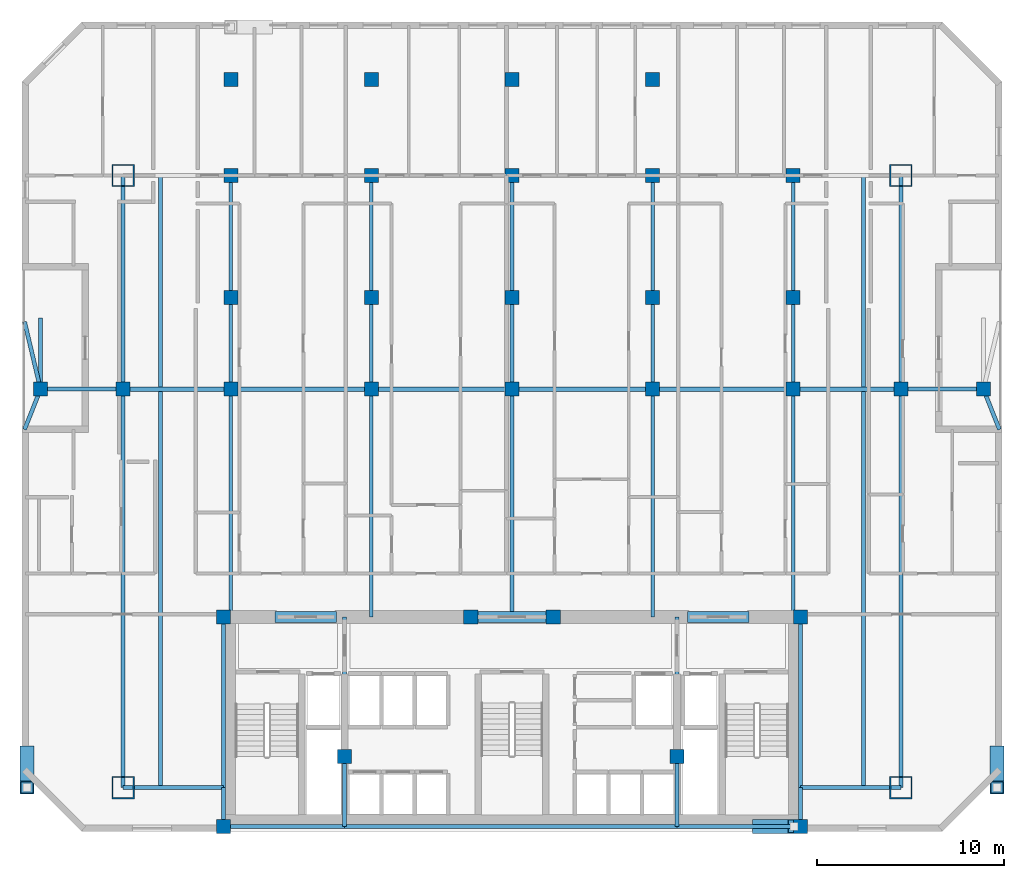
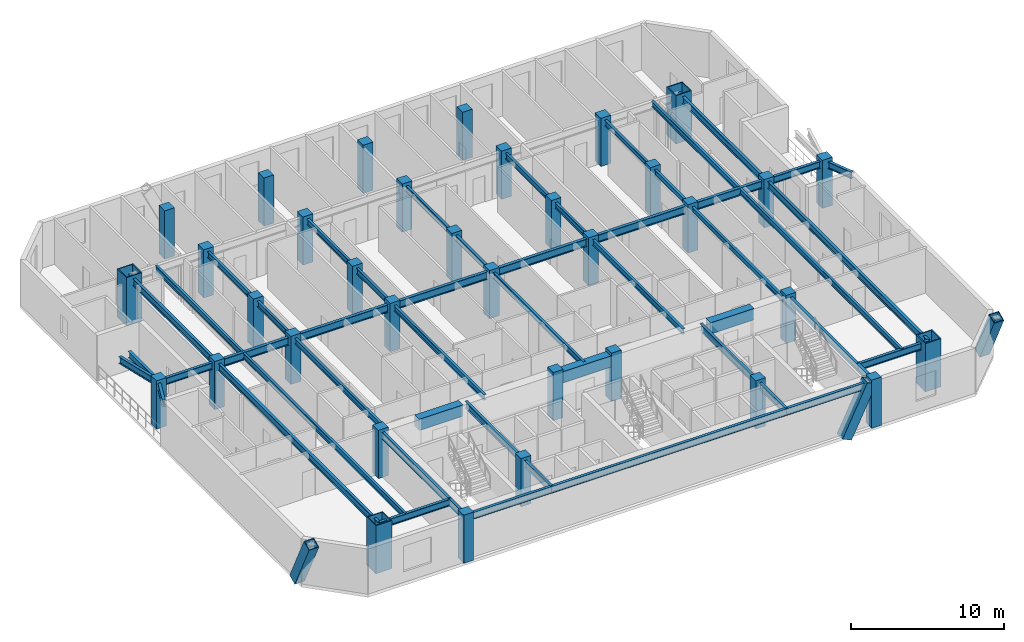
# One storey, part 1 of 11: 46 beams, 35 columns, 3 members.
"""IFC4 building model written with IfcOpenShell, lengths in metres."""

from ifc_helpers import new_model, si_unit, direction, frame, origin, origin_2d, place, context, subcontext, project, spatial, rectangle, hollow_rectangle, i_section, extrude, material, material_profile, profile_set, type_object, element, save


model = new_model("IFC4")

# Units and contexts
model_context = context("Model", 3, precision=1e-05, world=origin(), true_north=direction((0.0, 1.0)))
body_context = subcontext(model_context, "Body", "Model", "MODEL_VIEW")
ifc_project = project(units=[si_unit("LENGTHUNIT", "METRE"), si_unit("AREAUNIT", "SQUARE_METRE"), si_unit("VOLUMEUNIT", "CUBIC_METRE"), si_unit("PLANEANGLEUNIT", "RADIAN"), si_unit("MASSUNIT", "GRAM", prefix="KILO")], contexts=[model_context])

# Site, building, storey
site_placement = place(None, origin())
site = spatial("IfcSite", under=ifc_project, at=site_placement, CompositionType="ELEMENT")
building_placement = place(site_placement, origin())
building = spatial("IfcBuilding", under=site, at=building_placement, Name="Ventersveld Concourse Tower", CompositionType="ELEMENT")
storey_placement = place(building_placement, frame((0.0, 0.0, 119.550048828125)))
storey = spatial("IfcBuildingStorey", under=building, at=storey_placement, Name="L29", CompositionType="ELEMENT", Elevation=119.550048828125)

# Columns
ifc_material_1 = material(Name="Concrete C50/60", Category="concrete")
ifc_material_profile_1 = material_profile(ifc_material_1, rectangle(XDim=0.75, YDim=0.75, at=origin_2d()), Name="RC 750x750")
ifc_profile_set_1 = profile_set([ifc_material_profile_1], Name="Concrete C50/60")
column_type_1 = type_object("IfcColumnType", Name="COL-RC750", PredefinedType="COLUMN", material=ifc_profile_set_1)
for number, where, z_axis, x_axis, name in (
    (1, (13.35009765625, 0.280029296875, 0.0), (0.0, 0.0, 1.0), (1.0, 0.0, 0.0), "L29 Core Spine Column CC-SW"),
    (2, (44.14990234375, 0.280029296875, 0.0), (0.0, 0.0, 1.0), (1.0, 0.0, 0.0), "L29 Core Spine Column CC-SE"),
    (3, (13.35009765625, 11.449951171875, 0.0), (0.0, 0.0, 1.0), (1.0, 0.0, 0.0), "L29 Core Spine Column CC-NW"),
    (4, (44.14990234375, 11.449951171875, 0.0), (0.0, 0.0, 1.0), (1.0, 0.0, 0.0), "L29 Core Spine Column CC-NE"),
    (5, (19.820068359375, 4.0, 0.0), (0.0, 0.0, 1.0), (1.0, 0.0, 0.0), "L29 Core Spine Column CM-1"),
    (6, (37.550048828125, 4.0, 0.0), (0.0, 0.0, 1.0), (1.0, 0.0, 0.0), "L29 Core Spine Column CM-2"),
    (7, (26.550048828125, 11.449951171875, 0.0), (0.0, 0.0, 1.0), (1.0, 0.0, 0.0), "L29 Core Spine Column CM-3"),
    (8, (30.949951171875, 11.449951171875, 0.0), (0.0, 0.0, 1.0), (1.0, 0.0, 0.0), "L29 Core Spine Column CM-4"),
    (9, (3.60009765625, 23.60009765625, 0.0), (0.0, 0.0, 1.0), (1.0, 0.0, 0.0), "L29 Interior Gravity Column X=3.60 Y=23.60"),
    (10, (8.0, 23.60009765625, 0.0), (0.0, 0.0, 1.0), (1.0, 0.0, 0.0), "L29 Interior Gravity Column X=8.00 Y=23.60"),
    (11, (13.75, 23.60009765625, 0.0), (0.0, 0.0, 1.0), (1.0, 0.0, 0.0), "L29 Interior Gravity Column X=13.75 Y=23.60"),
    (12, (21.25, 23.60009765625, 0.0), (0.0, 0.0, 1.0), (1.0, 0.0, 0.0), "L29 Interior Gravity Column X=21.25 Y=23.60"),
    (13, (28.75, 23.60009765625, 0.0), (0.0, 0.0, 1.0), (1.0, 0.0, 0.0), "L29 Interior Gravity Column X=28.75 Y=23.60"),
    (14, (36.25, 23.60009765625, 0.0), (0.0, 0.0, 1.0), (1.0, 0.0, 0.0), "L29 Interior Gravity Column X=36.25 Y=23.60"),
    (15, (43.75, 23.60009765625, 0.0), (0.0, 0.0, 1.0), (1.0, 0.0, 0.0), "L29 Interior Gravity Column X=43.75 Y=23.60"),
    (16, (49.5, 23.60009765625, 0.0), (0.0, 0.0, 1.0), (1.0, 0.0, 0.0), "L29 Interior Gravity Column X=49.50 Y=23.60"),
    (17, (53.89990234375, 23.60009765625, 0.0), (0.0, 0.0, 1.0), (1.0, 0.0, 0.0), "L29 Interior Gravity Column X=53.90 Y=23.60"),
    (18, (13.75, 28.5, 0.0), (0.0, 0.0, 1.0), (1.0, 0.0, 0.0), "L29 Upper-North Gravity Column X=13.75 Y=28.50"),
    (19, (21.25, 28.5, 0.0), (0.0, 0.0, 1.0), (1.0, 0.0, 0.0), "L29 Upper-North Gravity Column X=21.25 Y=28.50"),
    (20, (28.75, 28.5, 0.0), (0.0, 0.0, 1.0), (1.0, 0.0, 0.0), "L29 Upper-North Gravity Column X=28.75 Y=28.50"),
    (21, (36.25, 28.5, 0.0), (0.0, 0.0, 1.0), (1.0, 0.0, 0.0), "L29 Upper-North Gravity Column X=36.25 Y=28.50"),
    (22, (43.75, 28.5, 0.0), (0.0, 0.0, 1.0), (1.0, 0.0, 0.0), "L29 Upper-North Gravity Column X=43.75 Y=28.50"),
    (23, (13.75, 40.1201171875, 0.0), (0.0, 0.0, 1.0), (1.0, 0.0, 0.0), "L29 North Brace Node Column X=13.75 Y=40.12"),
    (24, (21.25, 40.1201171875, 0.0), (0.0, 0.0, 1.0), (1.0, 0.0, 0.0), "L29 North Brace Node Column X=21.25 Y=40.12"),
    (25, (28.75, 40.1201171875, 0.0), (0.0, 0.0, 1.0), (1.0, 0.0, 0.0), "L29 North Brace Node Column X=28.75 Y=40.12"),
    (26, (36.25, 40.1201171875, 0.0), (0.0, 0.0, 1.0), (1.0, 0.0, 0.0), "L29 North Brace Node Column X=36.25 Y=40.12"),
    (27, (13.75, 35.0, 0.0), (0.0, 0.0, 1.0), (1.0, 0.0, 0.0), "L29 Mid-North Column X=13.75 Y=35.00"),
    (28, (21.25, 35.0, 0.0), (0.0, 0.0, 1.0), (1.0, 0.0, 0.0), "L29 Mid-North Column X=21.25 Y=35.00"),
    (29, (28.75, 35.0, 0.0), (0.0, 0.0, 1.0), (1.0, 0.0, 0.0), "L29 Mid-North Column X=28.75 Y=35.00"),
    (30, (36.25, 35.0, 0.0), (0.0, 0.0, 1.0), (1.0, 0.0, 0.0), "L29 Mid-North Column X=36.25 Y=35.00"),
    (31, (43.75, 35.0, 0.0), (0.0, 0.0, 1.0), (1.0, 0.0, 0.0), "L29 Mid-North Column X=43.75 Y=35.00"),
):
    element("IfcColumn", number, at=place(storey_placement, frame(where, z_axis=z_axis, x_axis=x_axis)), inside=storey, type_object=column_type_1, Name=name, PredefinedType="COLUMN", context=body_context, shape_type="SweptSolid", body=[
        extrude(rectangle(XDim=0.75, YDim=0.75, at=origin_2d()), origin(), (0.0, 0.0, 1.0), 3.849853515625),
    ])
ifc_material_2 = material(Name="Structural steel S460ML", Category="steel")
ifc_material_profile_2 = material_profile(ifc_material_2, hollow_rectangle(XDim=1.199951171875, YDim=1.199951171875, WallThickness=0.070068359375, at=origin_2d()), Name="BOX 1200x1200x70")
ifc_profile_set_2 = profile_set([ifc_material_profile_2], Name="Structural steel S460ML")
column_type_2 = type_object("IfcColumnType", Name="MC-1200", PredefinedType="USERDEFINED", material=ifc_profile_set_2)
for number, where, z_axis, x_axis, name in (
    (32, (8.0, 2.35009765625, 0.0), (0.0, 0.0, 1.0), (1.0, 0.0, 0.0), "L29 Corner Mega-Column MC-SW"),
    (33, (49.5, 2.35009765625, 0.0), (0.0, 0.0, 1.0), (1.0, 0.0, 0.0), "L29 Corner Mega-Column MC-SE"),
    (34, (49.5, 35.0, 0.0), (0.0, 0.0, 1.0), (1.0, 0.0, 0.0), "L29 Corner Mega-Column MC-NE"),
    (35, (8.0, 35.0, 0.0), (0.0, 0.0, 1.0), (1.0, 0.0, 0.0), "L29 Corner Mega-Column MC-NW"),
):
    element("IfcColumn", number, at=place(storey_placement, frame(where, z_axis=z_axis, x_axis=x_axis)), inside=storey, type_object=column_type_2, Name=name, ObjectType="MEGA_COLUMN", PredefinedType="USERDEFINED", context=body_context, shape_type="SweptSolid", body=[
        extrude(hollow_rectangle(XDim=1.199951171875, YDim=1.199951171875, WallThickness=0.070068359375, at=origin_2d()), origin(), (0.0, 0.0, 1.0), 3.849853515625),
    ])

# Beams
ifc_material_3 = material(Name="Structural steel S355J2", Category="steel")
ifc_material_profile_3 = material_profile(ifc_material_3, i_section(OverallWidth=0.18994140625, OverallDepth=0.453369140625, WebThickness=0.008544921875, FlangeThickness=0.0126953125, FilletRadius=0.01025390625, at=origin_2d()), Name="UB 457x191x67")
ifc_profile_set_3 = profile_set([ifc_material_profile_3], Name="Structural steel S355J2")
beam_type_1 = type_object("IfcBeamType", Name="BM-UB457", PredefinedType="BEAM", material=ifc_profile_set_3)
beam_1_placement = place(storey_placement, frame((10.0, 2.35009765625, 3.373291015625), z_axis=(0.0, 1.0, 0.0), x_axis=(-1.0, 0.0, 0.0)))
element("IfcBeam", 36, at=beam_1_placement, inside=storey, type_object=beam_type_1, Name="L29 N-S Composite Floor Beam South X=10.00", PredefinedType="BEAM", context=body_context, shape_type="SweptSolid", body=[
    extrude(i_section(OverallWidth=0.18994140625, OverallDepth=0.453369140625, WebThickness=0.008544921875, FlangeThickness=0.0126953125, FilletRadius=0.01025390625, at=origin_2d()), origin(), (0.0, 0.0, 1.0), 21.15478515625),
])
beam_2_placement = place(storey_placement, frame((10.0, 23.695068359375, 3.373291015625), z_axis=(0.0, 1.0, 0.0), x_axis=(-1.0, 0.0, 0.0)))
element("IfcBeam", 37, at=beam_2_placement, inside=storey, type_object=beam_type_1, Name="L29 N-S Composite Floor Beam Mid X=10.00", PredefinedType="BEAM", context=body_context, shape_type="SweptSolid", body=[
    extrude(i_section(OverallWidth=0.18994140625, OverallDepth=0.453369140625, WebThickness=0.008544921875, FlangeThickness=0.0126953125, FilletRadius=0.01025390625, at=origin_2d()), origin(), (0.0, 0.0, 1.0), 11.304931640625),
])
beam_3_placement = place(storey_placement, frame((13.75, 11.449951171875, 3.373291015625), z_axis=(0.0, 1.0, 0.0), x_axis=(-1.0, 0.0, 0.0)))
element("IfcBeam", 38, at=beam_3_placement, inside=storey, type_object=beam_type_1, Name="L29 N-S Composite Floor Beam South X=13.75", PredefinedType="BEAM", context=body_context, shape_type="SweptSolid", body=[
    extrude(i_section(OverallWidth=0.18994140625, OverallDepth=0.453369140625, WebThickness=0.008544921875, FlangeThickness=0.0126953125, FilletRadius=0.01025390625, at=origin_2d()), origin(), (0.0, 0.0, 1.0), 12.150146484375),
])
beam_4_placement = place(storey_placement, frame((13.75, 23.60009765625, 3.373291015625), z_axis=(0.0, 1.0, 0.0), x_axis=(-1.0, 0.0, 0.0)))
element("IfcBeam", 39, at=beam_4_placement, inside=storey, type_object=beam_type_1, Name="L29 N-S Composite Floor Beam Mid X=13.75", PredefinedType="BEAM", context=body_context, shape_type="SweptSolid", body=[
    extrude(i_section(OverallWidth=0.18994140625, OverallDepth=0.453369140625, WebThickness=0.008544921875, FlangeThickness=0.0126953125, FilletRadius=0.01025390625, at=origin_2d()), origin(), (0.0, 0.0, 1.0), 11.39990234375),
])
beam_5_placement = place(storey_placement, frame((21.25, 11.449951171875, 3.373291015625), z_axis=(0.0, 1.0, 0.0), x_axis=(-1.0, 0.0, 0.0)))
element("IfcBeam", 40, at=beam_5_placement, inside=storey, type_object=beam_type_1, Name="L29 N-S Composite Floor Beam South X=21.25", PredefinedType="BEAM", context=body_context, shape_type="SweptSolid", body=[
    extrude(i_section(OverallWidth=0.18994140625, OverallDepth=0.453369140625, WebThickness=0.008544921875, FlangeThickness=0.0126953125, FilletRadius=0.01025390625, at=origin_2d()), origin(), (0.0, 0.0, 1.0), 12.150146484375),
])
beam_6_placement = place(storey_placement, frame((21.25, 23.60009765625, 3.373291015625), z_axis=(0.0, 1.0, 0.0), x_axis=(-1.0, 0.0, 0.0)))
element("IfcBeam", 41, at=beam_6_placement, inside=storey, type_object=beam_type_1, Name="L29 N-S Composite Floor Beam Mid X=21.25", PredefinedType="BEAM", context=body_context, shape_type="SweptSolid", body=[
    extrude(i_section(OverallWidth=0.18994140625, OverallDepth=0.453369140625, WebThickness=0.008544921875, FlangeThickness=0.0126953125, FilletRadius=0.01025390625, at=origin_2d()), origin(), (0.0, 0.0, 1.0), 11.39990234375),
])
beam_7_placement = place(storey_placement, frame((28.75, 11.449951171875, 3.373291015625), z_axis=(0.0, 1.0, 0.0), x_axis=(-1.0, 0.0, 0.0)))
element("IfcBeam", 42, at=beam_7_placement, inside=storey, type_object=beam_type_1, Name="L29 N-S Composite Floor Beam South X=28.75", PredefinedType="BEAM", context=body_context, shape_type="SweptSolid", body=[
    extrude(i_section(OverallWidth=0.18994140625, OverallDepth=0.453369140625, WebThickness=0.008544921875, FlangeThickness=0.0126953125, FilletRadius=0.01025390625, at=origin_2d()), origin(), (0.0, 0.0, 1.0), 12.150146484375),
])
beam_8_placement = place(storey_placement, frame((28.75, 23.60009765625, 3.373291015625), z_axis=(0.0, 1.0, 0.0), x_axis=(-1.0, 0.0, 0.0)))
element("IfcBeam", 43, at=beam_8_placement, inside=storey, type_object=beam_type_1, Name="L29 N-S Composite Floor Beam Mid X=28.75", PredefinedType="BEAM", context=body_context, shape_type="SweptSolid", body=[
    extrude(i_section(OverallWidth=0.18994140625, OverallDepth=0.453369140625, WebThickness=0.008544921875, FlangeThickness=0.0126953125, FilletRadius=0.01025390625, at=origin_2d()), origin(), (0.0, 0.0, 1.0), 11.39990234375),
])
beam_9_placement = place(storey_placement, frame((36.25, 11.449951171875, 3.373291015625), z_axis=(0.0, 1.0, 0.0), x_axis=(-1.0, 0.0, 0.0)))
element("IfcBeam", 44, at=beam_9_placement, inside=storey, type_object=beam_type_1, Name="L29 N-S Composite Floor Beam South X=36.25", PredefinedType="BEAM", context=body_context, shape_type="SweptSolid", body=[
    extrude(i_section(OverallWidth=0.18994140625, OverallDepth=0.453369140625, WebThickness=0.008544921875, FlangeThickness=0.0126953125, FilletRadius=0.01025390625, at=origin_2d()), origin(), (0.0, 0.0, 1.0), 12.150146484375),
])
beam_10_placement = place(storey_placement, frame((36.25, 23.60009765625, 3.373291015625), z_axis=(0.0, 1.0, 0.0), x_axis=(-1.0, 0.0, 0.0)))
element("IfcBeam", 45, at=beam_10_placement, inside=storey, type_object=beam_type_1, Name="L29 N-S Composite Floor Beam Mid X=36.25", PredefinedType="BEAM", context=body_context, shape_type="SweptSolid", body=[
    extrude(i_section(OverallWidth=0.18994140625, OverallDepth=0.453369140625, WebThickness=0.008544921875, FlangeThickness=0.0126953125, FilletRadius=0.01025390625, at=origin_2d()), origin(), (0.0, 0.0, 1.0), 11.39990234375),
])
beam_11_placement = place(storey_placement, frame((43.75, 11.449951171875, 3.373291015625), z_axis=(0.0, 1.0, 0.0), x_axis=(-1.0, 0.0, 0.0)))
element("IfcBeam", 46, at=beam_11_placement, inside=storey, type_object=beam_type_1, Name="L29 N-S Composite Floor Beam South X=43.75", PredefinedType="BEAM", context=body_context, shape_type="SweptSolid", body=[
    extrude(i_section(OverallWidth=0.18994140625, OverallDepth=0.453369140625, WebThickness=0.008544921875, FlangeThickness=0.0126953125, FilletRadius=0.01025390625, at=origin_2d()), origin(), (0.0, 0.0, 1.0), 12.150146484375),
])
beam_12_placement = place(storey_placement, frame((43.75, 23.60009765625, 3.373291015625), z_axis=(0.0, 1.0, 0.0), x_axis=(-1.0, 0.0, 0.0)))
element("IfcBeam", 47, at=beam_12_placement, inside=storey, type_object=beam_type_1, Name="L29 N-S Composite Floor Beam Mid X=43.75", PredefinedType="BEAM", context=body_context, shape_type="SweptSolid", body=[
    extrude(i_section(OverallWidth=0.18994140625, OverallDepth=0.453369140625, WebThickness=0.008544921875, FlangeThickness=0.0126953125, FilletRadius=0.01025390625, at=origin_2d()), origin(), (0.0, 0.0, 1.0), 11.39990234375),
])
beam_13_placement = place(storey_placement, frame((47.5, 2.35009765625, 3.373291015625), z_axis=(0.0, 1.0, 0.0), x_axis=(-1.0, 0.0, 0.0)))
element("IfcBeam", 48, at=beam_13_placement, inside=storey, type_object=beam_type_1, Name="L29 N-S Composite Floor Beam South X=47.50", PredefinedType="BEAM", context=body_context, shape_type="SweptSolid", body=[
    extrude(i_section(OverallWidth=0.18994140625, OverallDepth=0.453369140625, WebThickness=0.008544921875, FlangeThickness=0.0126953125, FilletRadius=0.01025390625, at=origin_2d()), origin(), (0.0, 0.0, 1.0), 21.15478515625),
])
beam_14_placement = place(storey_placement, frame((47.5, 23.695068359375, 3.373291015625), z_axis=(0.0, 1.0, 0.0), x_axis=(-1.0, 0.0, 0.0)))
element("IfcBeam", 49, at=beam_14_placement, inside=storey, type_object=beam_type_1, Name="L29 N-S Composite Floor Beam Mid X=47.50", PredefinedType="BEAM", context=body_context, shape_type="SweptSolid", body=[
    extrude(i_section(OverallWidth=0.18994140625, OverallDepth=0.453369140625, WebThickness=0.008544921875, FlangeThickness=0.0126953125, FilletRadius=0.01025390625, at=origin_2d()), origin(), (0.0, 0.0, 1.0), 11.304931640625),
])
ifc_material_4 = material(Name="Concrete C60/75", Category="concrete")
ifc_material_profile_4 = material_profile(ifc_material_4, rectangle(XDim=0.60009765625, YDim=0.89990234375, at=origin_2d()), Name="RC 600x900")
ifc_profile_set_4 = profile_set([ifc_material_profile_4], Name="Concrete C60/75")
beam_type_2 = type_object("IfcBeamType", Name="CB-RC600x900L", PredefinedType="LINTEL", material=ifc_profile_set_4)
beam_15_placement = place(storey_placement, frame((16.10009765625, 11.449951171875, 3.14990234375), z_axis=(1.0, 0.0, 0.0), x_axis=(0.0, 1.0, 0.0)))
element("IfcBeam", 50, at=beam_15_placement, inside=storey, type_object=beam_type_2, Name="L29 Core Coupling Lintel Beam 1", PredefinedType="LINTEL", context=body_context, shape_type="SweptSolid", body=[
    extrude(rectangle(XDim=0.60009765625, YDim=0.89990234375, at=origin_2d()), origin(), (0.0, 0.0, 1.0), 3.2998046875),
])
beam_16_placement = place(storey_placement, frame((26.5, 11.449951171875, 3.14990234375), z_axis=(1.0, 0.0, 0.0), x_axis=(0.0, 1.0, 0.0)))
element("IfcBeam", 51, at=beam_16_placement, inside=storey, type_object=beam_type_2, Name="L29 Core Coupling Lintel Beam 2", PredefinedType="LINTEL", context=body_context, shape_type="SweptSolid", body=[
    extrude(rectangle(XDim=0.60009765625, YDim=0.89990234375, at=origin_2d()), origin(), (0.0, 0.0, 1.0), 4.5),
])
beam_17_placement = place(storey_placement, frame((38.10009765625, 11.449951171875, 3.14990234375), z_axis=(1.0, 0.0, 0.0), x_axis=(0.0, 1.0, 0.0)))
element("IfcBeam", 52, at=beam_17_placement, inside=storey, type_object=beam_type_2, Name="L29 Core Coupling Lintel Beam 3", PredefinedType="LINTEL", context=body_context, shape_type="SweptSolid", body=[
    extrude(rectangle(XDim=0.60009765625, YDim=0.89990234375, at=origin_2d()), origin(), (0.0, 0.0, 1.0), 3.2998046875),
])
ifc_material_profile_5 = material_profile(ifc_material_3, i_section(OverallWidth=0.2119140625, OverallDepth=0.54443359375, WebThickness=0.0126953125, FlangeThickness=0.021240234375, FilletRadius=0.0126953125, at=origin_2d()), Name="UB 533x210x122")
ifc_profile_set_5 = profile_set([ifc_material_profile_5], Name="Structural steel S355J2")
beam_type_3 = type_object("IfcBeamType", Name="GRD-UB533H", PredefinedType="T_BEAM", material=ifc_profile_set_5)
beam_18_placement = place(storey_placement, frame((13.35009765625, 0.280029296875, 3.32763671875), z_axis=(0.0, 1.0, 0.0), x_axis=(-1.0, 0.0, 0.0)))
element("IfcBeam", 53, at=beam_18_placement, inside=storey, type_object=beam_type_3, Name="L29 Core West Tie Beam S", PredefinedType="T_BEAM", context=body_context, shape_type="SweptSolid", body=[
    extrude(i_section(OverallWidth=0.2119140625, OverallDepth=0.54443359375, WebThickness=0.0126953125, FlangeThickness=0.021240234375, FilletRadius=0.0126953125, at=origin_2d()), origin(), (0.0, 0.0, 1.0), 2.070068359375),
])
beam_19_placement = place(storey_placement, frame((13.35009765625, 2.35009765625, 3.32763671875), z_axis=(0.0, 1.0, 0.0), x_axis=(-1.0, 0.0, 0.0)))
element("IfcBeam", 54, at=beam_19_placement, inside=storey, type_object=beam_type_3, Name="L29 Core West Tie Beam N", PredefinedType="T_BEAM", context=body_context, shape_type="SweptSolid", body=[
    extrude(i_section(OverallWidth=0.2119140625, OverallDepth=0.54443359375, WebThickness=0.0126953125, FlangeThickness=0.021240234375, FilletRadius=0.0126953125, at=origin_2d()), origin(), (0.0, 0.0, 1.0), 9.099853515625),
])
beam_20_placement = place(storey_placement, frame((44.14990234375, 0.280029296875, 3.32763671875), z_axis=(0.0, 1.0, 0.0), x_axis=(-1.0, 0.0, 0.0)))
element("IfcBeam", 55, at=beam_20_placement, inside=storey, type_object=beam_type_3, Name="L29 Core East Tie Beam S", PredefinedType="T_BEAM", context=body_context, shape_type="SweptSolid", body=[
    extrude(i_section(OverallWidth=0.2119140625, OverallDepth=0.54443359375, WebThickness=0.0126953125, FlangeThickness=0.021240234375, FilletRadius=0.0126953125, at=origin_2d()), origin(), (0.0, 0.0, 1.0), 2.070068359375),
])
beam_21_placement = place(storey_placement, frame((44.14990234375, 2.35009765625, 3.32763671875), z_axis=(0.0, 1.0, 0.0), x_axis=(-1.0, 0.0, 0.0)))
element("IfcBeam", 56, at=beam_21_placement, inside=storey, type_object=beam_type_3, Name="L29 Core East Tie Beam N", PredefinedType="T_BEAM", context=body_context, shape_type="SweptSolid", body=[
    extrude(i_section(OverallWidth=0.2119140625, OverallDepth=0.54443359375, WebThickness=0.0126953125, FlangeThickness=0.021240234375, FilletRadius=0.0126953125, at=origin_2d()), origin(), (0.0, 0.0, 1.0), 9.099853515625),
])
beam_22_placement = place(storey_placement, frame((13.35009765625, 0.280029296875, 3.32763671875), z_axis=(1.0, 0.0, 0.0), x_axis=(0.0, 1.0, 0.0)))
element("IfcBeam", 57, at=beam_22_placement, inside=storey, type_object=beam_type_3, Name="L29 Core South Tie Beam W", PredefinedType="T_BEAM", context=body_context, shape_type="SweptSolid", body=[
    extrude(i_section(OverallWidth=0.2119140625, OverallDepth=0.54443359375, WebThickness=0.0126953125, FlangeThickness=0.021240234375, FilletRadius=0.0126953125, at=origin_2d()), origin(), (0.0, 0.0, 1.0), 6.469970703125),
])
beam_23_placement = place(storey_placement, frame((19.820068359375, 0.280029296875, 3.32763671875), z_axis=(1.0, 0.0, 0.0), x_axis=(0.0, 1.0, 0.0)))
element("IfcBeam", 58, at=beam_23_placement, inside=storey, type_object=beam_type_3, Name="L29 Core South Tie Beam C", PredefinedType="T_BEAM", context=body_context, shape_type="SweptSolid", body=[
    extrude(i_section(OverallWidth=0.2119140625, OverallDepth=0.54443359375, WebThickness=0.0126953125, FlangeThickness=0.021240234375, FilletRadius=0.0126953125, at=origin_2d()), origin(), (0.0, 0.0, 1.0), 17.72998046875),
])
beam_24_placement = place(storey_placement, frame((37.550048828125, 0.280029296875, 3.32763671875), z_axis=(1.0, 0.0, 0.0), x_axis=(0.0, 1.0, 0.0)))
element("IfcBeam", 59, at=beam_24_placement, inside=storey, type_object=beam_type_3, Name="L29 Core South Tie Beam E", PredefinedType="T_BEAM", context=body_context, shape_type="SweptSolid", body=[
    extrude(i_section(OverallWidth=0.2119140625, OverallDepth=0.54443359375, WebThickness=0.0126953125, FlangeThickness=0.021240234375, FilletRadius=0.0126953125, at=origin_2d()), origin(), (0.0, 0.0, 1.0), 6.599853515625),
])
beam_25_placement = place(storey_placement, frame((19.820068359375, 0.280029296875, 3.32763671875), z_axis=(0.0, 1.0, 0.0), x_axis=(-1.0, 0.0, 0.0)))
element("IfcBeam", 60, at=beam_25_placement, inside=storey, type_object=beam_type_3, Name="L29 Core Spine N-S Tie Beam W1", PredefinedType="T_BEAM", context=body_context, shape_type="SweptSolid", body=[
    extrude(i_section(OverallWidth=0.2119140625, OverallDepth=0.54443359375, WebThickness=0.0126953125, FlangeThickness=0.021240234375, FilletRadius=0.0126953125, at=origin_2d()), origin(), (0.0, 0.0, 1.0), 3.719970703125),
])
beam_26_placement = place(storey_placement, frame((19.820068359375, 4.0, 3.32763671875), z_axis=(0.0, 1.0, 0.0), x_axis=(-1.0, 0.0, 0.0)))
element("IfcBeam", 61, at=beam_26_placement, inside=storey, type_object=beam_type_3, Name="L29 Core Spine N-S Tie Beam W2", PredefinedType="T_BEAM", context=body_context, shape_type="SweptSolid", body=[
    extrude(i_section(OverallWidth=0.2119140625, OverallDepth=0.54443359375, WebThickness=0.0126953125, FlangeThickness=0.021240234375, FilletRadius=0.0126953125, at=origin_2d()), origin(), (0.0, 0.0, 1.0), 7.449951171875),
])
beam_27_placement = place(storey_placement, frame((37.550048828125, 0.280029296875, 3.32763671875), z_axis=(0.0, 1.0, 0.0), x_axis=(-1.0, 0.0, 0.0)))
element("IfcBeam", 62, at=beam_27_placement, inside=storey, type_object=beam_type_3, Name="L29 Core Spine N-S Tie Beam E1", PredefinedType="T_BEAM", context=body_context, shape_type="SweptSolid", body=[
    extrude(i_section(OverallWidth=0.2119140625, OverallDepth=0.54443359375, WebThickness=0.0126953125, FlangeThickness=0.021240234375, FilletRadius=0.0126953125, at=origin_2d()), origin(), (0.0, 0.0, 1.0), 3.719970703125),
])
beam_28_placement = place(storey_placement, frame((37.550048828125, 4.0, 3.32763671875), z_axis=(0.0, 1.0, 0.0), x_axis=(-1.0, 0.0, 0.0)))
element("IfcBeam", 63, at=beam_28_placement, inside=storey, type_object=beam_type_3, Name="L29 Core Spine N-S Tie Beam E2", PredefinedType="T_BEAM", context=body_context, shape_type="SweptSolid", body=[
    extrude(i_section(OverallWidth=0.2119140625, OverallDepth=0.54443359375, WebThickness=0.0126953125, FlangeThickness=0.021240234375, FilletRadius=0.0126953125, at=origin_2d()), origin(), (0.0, 0.0, 1.0), 7.449951171875),
])
ifc_material_profile_6 = material_profile(ifc_material_3, i_section(OverallWidth=0.230224609375, OverallDepth=0.6171875, WebThickness=0.01318359375, FlangeThickness=0.022216796875, FilletRadius=0.0126953125, at=origin_2d()), Name="UB 610x229x140")
ifc_profile_set_6 = profile_set([ifc_material_profile_6], Name="Structural steel S355J2")
beam_type_4 = type_object("IfcBeamType", Name="GRD-UB610", PredefinedType="USERDEFINED", material=ifc_profile_set_6)
beam_29_placement = place(storey_placement, frame((8.0, 23.60009765625, 3.291259765625), z_axis=(1.0, 0.0, 0.0), x_axis=(0.0, 1.0, 0.0)))
element("IfcBeam", 64, at=beam_29_placement, inside=storey, type_object=beam_type_4, Name="L29 Primary E-W Grid Girder Y=23.60 #1", ObjectType="GIRDER", PredefinedType="USERDEFINED", context=body_context, shape_type="SweptSolid", body=[
    extrude(i_section(OverallWidth=0.230224609375, OverallDepth=0.6171875, WebThickness=0.01318359375, FlangeThickness=0.022216796875, FilletRadius=0.0126953125, at=origin_2d()), origin(), (0.0, 0.0, 1.0), 5.75),
])
for number, where, z_axis, x_axis, name in (
    (65, (13.75, 23.60009765625, 3.291259765625), (1.0, 0.0, 0.0), (0.0, 1.0, 0.0), "L29 Primary E-W Grid Girder Y=23.60 #2"),
    (66, (21.25, 23.60009765625, 3.291259765625), (1.0, 0.0, 0.0), (0.0, 1.0, 0.0), "L29 Primary E-W Grid Girder Y=23.60 #3"),
    (67, (28.75, 23.60009765625, 3.291259765625), (1.0, 0.0, 0.0), (0.0, 1.0, 0.0), "L29 Primary E-W Grid Girder Y=23.60 #4"),
    (68, (36.25, 23.60009765625, 3.291259765625), (1.0, 0.0, 0.0), (0.0, 1.0, 0.0), "L29 Primary E-W Grid Girder Y=23.60 #5"),
):
    element("IfcBeam", number, at=place(storey_placement, frame(where, z_axis=z_axis, x_axis=x_axis)), inside=storey, type_object=beam_type_4, Name=name, ObjectType="GIRDER", PredefinedType="USERDEFINED", context=body_context, shape_type="SweptSolid", body=[
        extrude(i_section(OverallWidth=0.230224609375, OverallDepth=0.6171875, WebThickness=0.01318359375, FlangeThickness=0.022216796875, FilletRadius=0.0126953125, at=origin_2d()), origin(), (0.0, 0.0, 1.0), 7.5),
    ])
beam_30_placement = place(storey_placement, frame((43.75, 23.60009765625, 3.291259765625), z_axis=(1.0, 0.0, 0.0), x_axis=(0.0, 1.0, 0.0)))
element("IfcBeam", 69, at=beam_30_placement, inside=storey, type_object=beam_type_4, Name="L29 Primary E-W Grid Girder Y=23.60 #6", ObjectType="GIRDER", PredefinedType="USERDEFINED", context=body_context, shape_type="SweptSolid", body=[
    extrude(i_section(OverallWidth=0.230224609375, OverallDepth=0.6171875, WebThickness=0.01318359375, FlangeThickness=0.022216796875, FilletRadius=0.0126953125, at=origin_2d()), origin(), (0.0, 0.0, 1.0), 5.75),
])

# Members
ifc_material_5 = material(Name="Structural steel S355ML", Category="steel")
ifc_material_profile_7 = material_profile(ifc_material_5, hollow_rectangle(XDim=0.75, YDim=0.75, WallThickness=0.044921875, at=origin_2d()), Name="BOX 750x750x45")
ifc_profile_set_7 = profile_set([ifc_material_profile_7], Name="Structural steel S355ML")
member_type = type_object("IfcMemberType", Name="MB-750x750", PredefinedType="BRACE", material=ifc_profile_set_7)
for number, where, z_axis, x_axis, name in (
    (70, (41.925048828125, 0.280029296875, -0.25), (0.437861906815, 0.0, 0.899042240699), (0.0, 1.0, 0.0), "L29 Exterior Mega-Brace S (Module M06)"),
    (71, (2.8798828125, 4.22509765625, -0.25), (0.0, -0.437861906815, 0.899042240699), (1.0, 0.0, 0.0), "L29 Exterior Mega-Brace W (Module M06)"),
    (72, (54.6201171875, 4.22509765625, -0.25), (0.0, -0.437861906815, 0.899042240699), (1.0, 0.0, 0.0), "L29 Exterior Mega-Brace E (Module M06)"),
):
    element("IfcMember", number, at=place(storey_placement, frame(where, z_axis=z_axis, x_axis=x_axis)), inside=storey, type_object=member_type, Name=name, PredefinedType="BRACE", context=body_context, shape_type="SweptSolid", body=[
        extrude(hollow_rectangle(XDim=0.75, YDim=0.75, WallThickness=0.044921875, at=origin_2d()), origin(), (0.0, 0.0, 1.0), 4.2822265625),
    ])

# Beams
ifc_material_profile_8 = material_profile(ifc_material_3, i_section(OverallWidth=0.2119140625, OverallDepth=0.54443359375, WebThickness=0.0126953125, FlangeThickness=0.021240234375, FilletRadius=0.0126953125, at=origin_2d()), Name="UB 533x210x122")
ifc_profile_set_8 = profile_set([ifc_material_profile_8], Name="Structural steel S355J2")
beam_type_5 = type_object("IfcBeamType", Name="SPD-UB533", PredefinedType="SPANDREL", material=ifc_profile_set_8)
for number, where, z_axis, x_axis, name in (
    (73, (8.0, 2.35009765625, 3.32763671875), (1.0, 0.0, 0.0), (0.0, 1.0, 0.0), "L29 SW Spandrel Beam"),
    (74, (44.14990234375, 2.35009765625, 3.32763671875), (1.0, 0.0, 0.0), (0.0, 1.0, 0.0), "L29 SE Spandrel Beam"),
):
    element("IfcBeam", number, at=place(storey_placement, frame(where, z_axis=z_axis, x_axis=x_axis)), inside=storey, type_object=beam_type_5, Name=name, PredefinedType="SPANDREL", context=body_context, shape_type="SweptSolid", body=[
        extrude(i_section(OverallWidth=0.2119140625, OverallDepth=0.54443359375, WebThickness=0.0126953125, FlangeThickness=0.021240234375, FilletRadius=0.0126953125, at=origin_2d()), origin(), (0.0, 0.0, 1.0), 5.35009765625),
    ])
beam_31_placement = place(storey_placement, frame((8.0, 2.35009765625, 3.32763671875), z_axis=(0.0, 1.0, 0.0), x_axis=(-1.0, 0.0, 0.0)))
element("IfcBeam", 75, at=beam_31_placement, inside=storey, type_object=beam_type_5, Name="L29 West Spandrel Beam S", PredefinedType="SPANDREL", context=body_context, shape_type="SweptSolid", body=[
    extrude(i_section(OverallWidth=0.2119140625, OverallDepth=0.54443359375, WebThickness=0.0126953125, FlangeThickness=0.021240234375, FilletRadius=0.0126953125, at=origin_2d()), origin(), (0.0, 0.0, 1.0), 21.25),
])
beam_32_placement = place(storey_placement, frame((8.0, 23.60009765625, 3.32763671875), z_axis=(0.0, 1.0, 0.0), x_axis=(-1.0, 0.0, 0.0)))
element("IfcBeam", 76, at=beam_32_placement, inside=storey, type_object=beam_type_5, Name="L29 West Spandrel Beam N", PredefinedType="SPANDREL", context=body_context, shape_type="SweptSolid", body=[
    extrude(i_section(OverallWidth=0.2119140625, OverallDepth=0.54443359375, WebThickness=0.0126953125, FlangeThickness=0.021240234375, FilletRadius=0.0126953125, at=origin_2d()), origin(), (0.0, 0.0, 1.0), 11.39990234375),
])
beam_33_placement = place(storey_placement, frame((49.5, 2.35009765625, 3.32763671875), z_axis=(0.0, 1.0, 0.0), x_axis=(-1.0, 0.0, 0.0)))
element("IfcBeam", 77, at=beam_33_placement, inside=storey, type_object=beam_type_5, Name="L29 East Spandrel Beam S", PredefinedType="SPANDREL", context=body_context, shape_type="SweptSolid", body=[
    extrude(i_section(OverallWidth=0.2119140625, OverallDepth=0.54443359375, WebThickness=0.0126953125, FlangeThickness=0.021240234375, FilletRadius=0.0126953125, at=origin_2d()), origin(), (0.0, 0.0, 1.0), 21.25),
])
beam_34_placement = place(storey_placement, frame((49.5, 23.60009765625, 3.32763671875), z_axis=(0.0, 1.0, 0.0), x_axis=(-1.0, 0.0, 0.0)))
element("IfcBeam", 78, at=beam_34_placement, inside=storey, type_object=beam_type_5, Name="L29 East Spandrel Beam N", PredefinedType="SPANDREL", context=body_context, shape_type="SweptSolid", body=[
    extrude(i_section(OverallWidth=0.2119140625, OverallDepth=0.54443359375, WebThickness=0.0126953125, FlangeThickness=0.021240234375, FilletRadius=0.0126953125, at=origin_2d()), origin(), (0.0, 0.0, 1.0), 11.39990234375),
])
beam_35_placement = place(storey_placement, frame((3.60009765625, 23.60009765625, 3.32763671875), z_axis=(0.0, 1.0, 0.0), x_axis=(-1.0, 0.0, 0.0)))
element("IfcBeam", 79, at=beam_35_placement, inside=storey, type_object=beam_type_5, Name="L29 West Valley Spine Girder", PredefinedType="SPANDREL", context=body_context, shape_type="SweptSolid", body=[
    extrude(i_section(OverallWidth=0.2119140625, OverallDepth=0.54443359375, WebThickness=0.0126953125, FlangeThickness=0.021240234375, FilletRadius=0.0126953125, at=origin_2d()), origin(), (0.0, 0.0, 1.0), 3.7998046875),
])
beam_36_placement = place(storey_placement, frame((3.60009765625, 23.60009765625, 3.32763671875), z_axis=(1.0, 0.0, 0.0), x_axis=(0.0, 1.0, 0.0)))
element("IfcBeam", 80, at=beam_36_placement, inside=storey, type_object=beam_type_5, Name="L29 West Valley Tie S", PredefinedType="SPANDREL", context=body_context, shape_type="SweptSolid", body=[
    extrude(i_section(OverallWidth=0.2119140625, OverallDepth=0.54443359375, WebThickness=0.0126953125, FlangeThickness=0.021240234375, FilletRadius=0.0126953125, at=origin_2d()), origin(), (0.0, 0.0, 1.0), 4.39990234375),
])
beam_37_placement = place(storey_placement, frame((2.75, 21.449951171875, 3.32763671875), z_axis=(0.367673755274, 0.929954842819, 0.0), x_axis=(-0.929954842819, 0.367673755274, 0.0)))
element("IfcBeam", 81, at=beam_37_placement, inside=storey, type_object=beam_type_5, Name="L29 West Valley Corner Bracket 1", PredefinedType="SPANDREL", context=body_context, shape_type="SweptSolid", body=[
    extrude(i_section(OverallWidth=0.2119140625, OverallDepth=0.54443359375, WebThickness=0.0126953125, FlangeThickness=0.021240234375, FilletRadius=0.0126953125, at=origin_2d()), origin(), (0.0, 0.0, 1.0), 2.31201171875),
])
beam_38_placement = place(storey_placement, frame((2.75, 27.199951171875, 3.32763671875), z_axis=(0.229826547993, -0.973231605445, 0.0), x_axis=(0.973231605445, 0.229826547993, 0.0)))
element("IfcBeam", 82, at=beam_38_placement, inside=storey, type_object=beam_type_5, Name="L29 West Valley Corner Bracket 2", PredefinedType="SPANDREL", context=body_context, shape_type="SweptSolid", body=[
    extrude(i_section(OverallWidth=0.2119140625, OverallDepth=0.54443359375, WebThickness=0.0126953125, FlangeThickness=0.021240234375, FilletRadius=0.0126953125, at=origin_2d()), origin(), (0.0, 0.0, 1.0), 3.698974609375),
])
beam_39_placement = place(storey_placement, frame((49.5, 23.60009765625, 3.32763671875), z_axis=(1.0, 0.0, 0.0), x_axis=(0.0, 1.0, 0.0)))
element("IfcBeam", 83, at=beam_39_placement, inside=storey, type_object=beam_type_5, Name="L29 East Valley Tie S", PredefinedType="SPANDREL", context=body_context, shape_type="SweptSolid", body=[
    extrude(i_section(OverallWidth=0.2119140625, OverallDepth=0.54443359375, WebThickness=0.0126953125, FlangeThickness=0.021240234375, FilletRadius=0.0126953125, at=origin_2d()), origin(), (0.0, 0.0, 1.0), 4.39990234375),
])
beam_40_placement = place(storey_placement, frame((53.89990234375, 23.60009765625, 3.32763671875), z_axis=(0.367673755274, -0.929954842819, 0.0), x_axis=(0.929954842819, 0.367673755274, 0.0)))
element("IfcBeam", 84, at=beam_40_placement, inside=storey, type_object=beam_type_5, Name="L29 East Valley Corner Bracket 1", PredefinedType="SPANDREL", context=body_context, shape_type="SweptSolid", body=[
    extrude(i_section(OverallWidth=0.2119140625, OverallDepth=0.54443359375, WebThickness=0.0126953125, FlangeThickness=0.021240234375, FilletRadius=0.0126953125, at=origin_2d()), origin(), (0.0, 0.0, 1.0), 2.31201171875),
])

save(model, "model.ifc")
